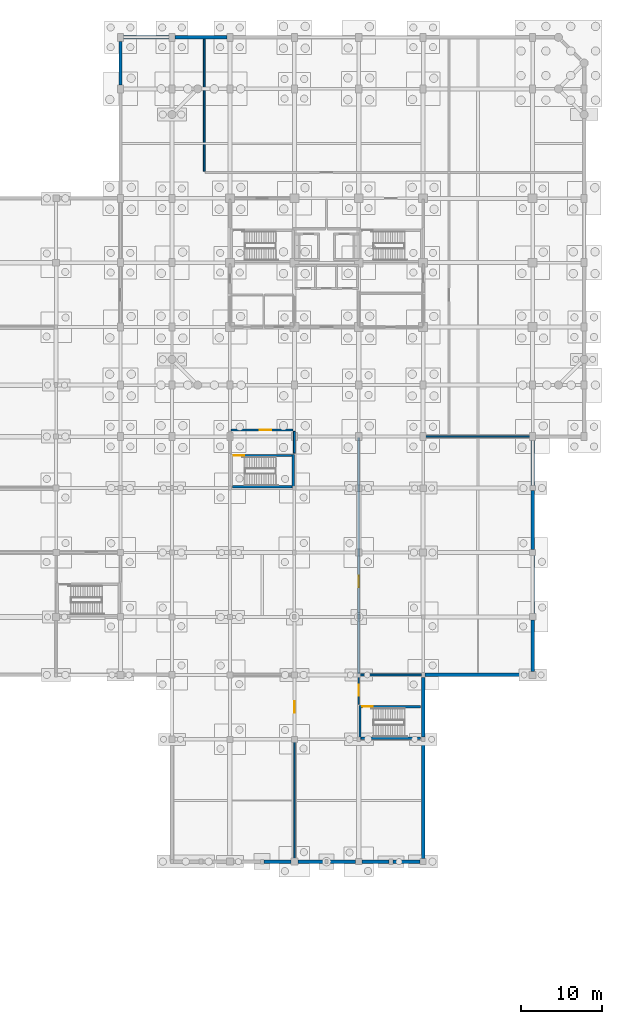
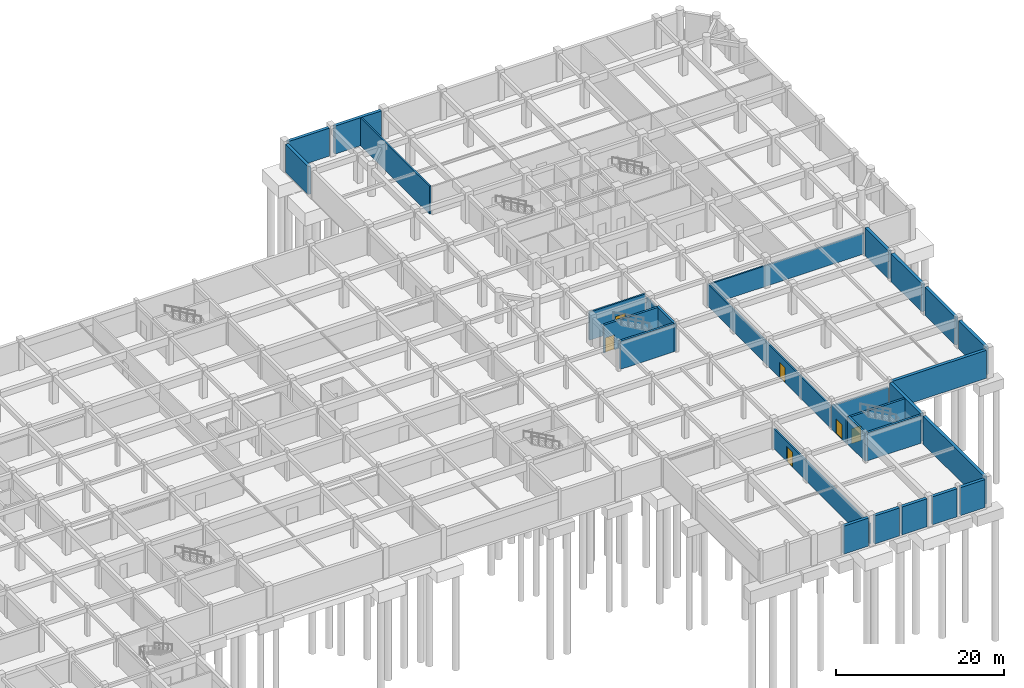
# One storey, part 23 of 28: 29 walls, 6 doors, 6 openings.
"""IFC4 building model written with IfcOpenShell, lengths in metres."""

import ifcopenshell
import ifcopenshell.guid

model = None  # the IFC model being written
_history = None  # IfcOwnerHistory: only IFC2X3 demands one
_inside = {}  # id of a spatial element -> (the spatial element, [elements in it])
_under = {}  # id of a project, library or spatial element -> (it, [spatial elements below it])
_declared = {}  # id of a project -> (the project, [libraries it declares])
_typed = {}  # id of a type object -> (the type object, [elements of that type])
_made_of = {}  # id of a material, layer set ... -> (it, [elements and type objects made of it])


def new_model(schema):
    """Start an empty IFC model of exactly this schema.

    Asked for "IFC4X3", IfcOpenShell would pick the latest addendum, in which some entities
    have other attributes; the version numbers below select the first issue.
    IFC2X3 requires an IfcOwnerHistory on every rooted entity: one is made here for all.
    """
    global model, _history
    if schema == "IFC4X3":
        model = ifcopenshell.file(schema_version=(4, 3, 0, 0))
    else:
        model = ifcopenshell.file(schema=schema)
    _inside.clear()
    _under.clear()
    _declared.clear()
    _typed.clear()
    _made_of.clear()
    _history = None
    if model.schema == "IFC2X3":
        org = make("IfcOrganization", Name="unknown")
        user = make(
            "IfcPersonAndOrganization",
            ThePerson=make("IfcPerson", FamilyName="unknown"),
            TheOrganization=org,
        )
        app = make(
            "IfcApplication",
            ApplicationDeveloper=org,
            Version="unknown",
            ApplicationFullName="unknown",
            ApplicationIdentifier="unknown",
        )
        _history = make(
            "IfcOwnerHistory",
            OwningUser=user,
            OwningApplication=app,
            ChangeAction="ADDED",
            CreationDate=0,
        )
    return model


def make(cls, **values):
    """One entity of the class cls with the attributes given. An attribute that is None is left unset."""
    return model.create_entity(
        cls, **{name: value for name, value in values.items() if value is not None}
    )


def rooted(cls, **values):
    """An entity with a GlobalId (a new one), such as an element, a storey or a relation."""
    return make(cls, GlobalId=ifcopenshell.guid.new(), OwnerHistory=_history, **values)


def si_unit(unit_type, name, prefix=None):
    """IfcSIUnit, for example si_unit("LENGTHUNIT", "METRE", prefix="MILLI")."""
    return make("IfcSIUnit", UnitType=unit_type, Prefix=prefix, Name=name)


def assignment(units):
    """IfcUnitAssignment: the units of a project."""
    return None if units is None else make("IfcUnitAssignment", Units=units)


def point(xyz):
    """IfcCartesianPoint."""
    return None if xyz is None else make("IfcCartesianPoint", Coordinates=xyz)


def direction(xyz):
    """IfcDirection."""
    return None if xyz is None else make("IfcDirection", DirectionRatios=xyz)


def frame(location, z_axis=None, x_axis=None):
    """IfcAxis2Placement3D, a coordinate frame: its origin and axes. An axis left out is left unset."""
    return make(
        "IfcAxis2Placement3D",
        Location=point(location),
        Axis=direction(z_axis),
        RefDirection=direction(x_axis),
    )


def frame_2d(location, x_axis=None):
    """IfcAxis2Placement2D, a coordinate frame in the plane: its origin and x axis."""
    return make(
        "IfcAxis2Placement2D", Location=point(location), RefDirection=direction(x_axis)
    )


def origin():
    """The frame at (0, 0, 0) with its axes left unset."""
    return frame((0.0, 0.0, 0.0))


def place(relative_to, where):
    """IfcLocalPlacement: puts the frame where relative to a parent placement (None: the world)."""
    return make(
        "IfcLocalPlacement", PlacementRelTo=relative_to, RelativePlacement=where
    )


def context(
    kind, dimensions, precision=None, world=None, true_north=None, identifier=None
):
    """IfcGeometricRepresentationContext, for example the 3D "Model" context."""
    return make(
        "IfcGeometricRepresentationContext",
        ContextIdentifier=identifier,
        ContextType=kind,
        CoordinateSpaceDimension=dimensions,
        Precision=precision,
        WorldCoordinateSystem=world,
        TrueNorth=true_north,
    )


def subcontext(parent, identifier, kind, view, scale=None):
    """IfcGeometricRepresentationSubContext, for example "Body" below "Model"."""
    return make(
        "IfcGeometricRepresentationSubContext",
        ContextIdentifier=identifier,
        ContextType=kind,
        ParentContext=parent,
        TargetScale=scale,
        TargetView=view,
    )


def project(units=None, contexts=None):
    """IfcProject with its units and contexts."""
    return rooted(
        "IfcProject",
        Name="project",
        RepresentationContexts=contexts,
        UnitsInContext=assignment(units),
    )


def spatial(cls, under=None, at=None, **own):
    """A site, building, storey or space (cls), placed at a placement, below another one or the project."""
    s = rooted(cls, ObjectPlacement=at, **own)
    if under is not None:
        _under.setdefault(under.id(), (under, []))[1].append(s)
    return s


def profile(cls, at=None, kind="AREA", **sizes):
    """A parametric profile (cls). Its sizes go by their IFC names, for example OverallWidth=200.0."""
    return make(cls, ProfileType=kind, Position=at, **sizes)


def rectangle(**sizes):
    """IfcRectangleProfileDef."""
    return profile("IfcRectangleProfileDef", **sizes)


def extrude(swept, where, along, depth):
    """IfcExtrudedAreaSolid: the profile swept, set in the frame where, extruded along a direction by depth."""
    return make(
        "IfcExtrudedAreaSolid",
        SweptArea=swept,
        Position=where,
        ExtrudedDirection=direction(along),
        Depth=depth,
    )


def shape(context_of_items, identifier, shape_type, items):
    """IfcShapeRepresentation: the items that make up one representation, for example the "Body"."""
    return make(
        "IfcShapeRepresentation",
        ContextOfItems=context_of_items,
        RepresentationIdentifier=identifier,
        RepresentationType=shape_type,
        Items=items,
    )


def material(Name=None, Category=None):
    """IfcMaterial."""
    return make("IfcMaterial", Name=Name, Category=Category)


def layer(
    of_material, thickness, ventilated=None, Name=None, Category=None, Priority=None
):
    """IfcMaterialLayer: one layer of a wall or slab, of a material (None: an air gap)."""
    return make(
        "IfcMaterialLayer",
        Material=of_material,
        LayerThickness=thickness,
        IsVentilated=ventilated,
        Name=Name,
        Category=Category,
        Priority=Priority,
    )


def layer_set(layers, Name=None):
    """IfcMaterialLayerSet."""
    return make("IfcMaterialLayerSet", MaterialLayers=layers, LayerSetName=Name)


def made_of(thing, what):
    """Note that an element or type object is made of a material, layer set ...; save() writes the relation."""
    if what is not None:
        _made_of.setdefault(what.id(), (what, []))[1].append(thing)
    return thing


def type_object(cls, material=None, **own):
    """A type object (cls), such as IfcWallType, which elements share."""
    return made_of(rooted(cls, **own), material)


def element(
    cls,
    number,
    at=None,
    inside=None,
    cuts=None,
    type_object=None,
    material=None,
    context=None,
    identifier="Body",
    shape_type=None,
    held_by="IfcProductDefinitionShape",
    body=None,
    shapes=None,
    **own,
):
    """One element of the class cls, such as IfcWall. Its Tag is "e" and its number.

    at: its placement. inside: the storey or other place that contains it. cuts: it is an
    opening in that element (IfcRelVoidsElement). A single representation is given by context,
    identifier, shape_type and body (its items); several are given by shapes. held_by: the class
    of the entity that holds the representations. save() writes the other relations.
    """
    e = rooted(cls, Tag="e%d" % number, ObjectPlacement=at, **own)
    if body is not None:
        shapes = [shape(context, identifier, shape_type, body)]
    if shapes is not None:
        e.Representation = make(held_by, Representations=shapes)
    if inside is not None:
        _inside.setdefault(inside.id(), (inside, []))[1].append(e)
    if cuts is not None:
        rooted(
            "IfcRelVoidsElement", RelatingBuildingElement=cuts, RelatedOpeningElement=e
        )
    if type_object is not None:
        _typed.setdefault(type_object.id(), (type_object, []))[1].append(e)
    return made_of(e, material)


def fill(opening, filler):
    """IfcRelFillsElement: the door or window that sits in an opening."""
    return rooted(
        "IfcRelFillsElement",
        RelatingOpeningElement=opening,
        RelatedBuildingElement=filler,
    )


def aggregate(whole, parts):
    """IfcRelAggregates: a whole, such as a stair, and the parts it consists of."""
    return rooted("IfcRelAggregates", RelatingObject=whole, RelatedObjects=parts)


def save(model, path):
    """Write the relations noted so far, then the file.

    IfcRelAggregates (storeys below a building ...), IfcRelContainedInSpatialStructure (elements
    in a storey), IfcRelDefinesByType, IfcRelAssociatesMaterial and IfcRelDeclares: one each for
    every whole, place, type object, material and project.
    """
    for whole, parts in _under.values():
        aggregate(whole, parts)
    for where, things in _inside.values():
        rooted(
            "IfcRelContainedInSpatialStructure",
            RelatedElements=things,
            RelatingStructure=where,
        )
    for kind, things in _typed.values():
        rooted("IfcRelDefinesByType", RelatedObjects=things, RelatingType=kind)
    for what, things in _made_of.values():
        rooted("IfcRelAssociatesMaterial", RelatedObjects=things, RelatingMaterial=what)
    for by, libraries in _declared.values():
        rooted("IfcRelDeclares", RelatingContext=by, RelatedDefinitions=libraries)
    model.write(path)


model = new_model("IFC4")

# Units and contexts
model_context = context("Model", 3, precision=1e-05, world=origin(), true_north=direction((0.0, 1.0)))
body_context = subcontext(model_context, "Body", "Model", "MODEL_VIEW")
ifc_project = project(units=[si_unit("LENGTHUNIT", "METRE"), si_unit("AREAUNIT", "SQUARE_METRE"), si_unit("VOLUMEUNIT", "CUBIC_METRE"), si_unit("PLANEANGLEUNIT", "RADIAN"), si_unit("MASSUNIT", "GRAM", prefix="KILO")], contexts=[model_context])

# Site, building, storey
site_placement = place(None, origin())
site = spatial("IfcSite", under=ifc_project, at=site_placement, CompositionType="ELEMENT")
building_placement = place(site_placement, origin())
building = spatial("IfcBuilding", under=site, at=building_placement, Name="Vellmiral Cinema and Media Centre", CompositionType="ELEMENT")
storey_placement = place(building_placement, frame((0.0, 0.0, -4.5)))
storey = spatial("IfcBuildingStorey", under=building, at=storey_placement, Name="B1", CompositionType="ELEMENT", Elevation=-4.5)

# Walls
ifc_material_1 = material(Name="Concrete C30/37", Category="concrete")
ifc_layer_1 = layer(ifc_material_1, 0.419921875, Name="Concrete C30/37")
ifc_layer_set_1 = layer_set([ifc_layer_1], Name="Concrete C30/37")
wall_type_1 = type_object("IfcWallType", Name="WL-B1-RET-420", PredefinedType="SOLIDWALL", material=ifc_layer_set_1)
wall_1_placement = place(storey_placement, frame((128.199951171875, 12.800048828125, 0.0), z_axis=(0.0, 0.0, 1.0), x_axis=(1.0, 0.0, 0.0)))
element("IfcWall", 1, at=wall_1_placement, inside=storey, type_object=wall_type_1, Name="Basement Retaining Wall B1-024", PredefinedType="SOLIDWALL", context=body_context, shape_type="SweptSolid", body=[
    extrude(rectangle(XDim=3.375, YDim=0.419921875, at=frame_2d((1.6875, 0.0))), origin(), (0.0, 0.0, 1.0), 4.080078125),
])
wall_2_placement = place(storey_placement, frame((132.425048828125, 12.800048828125, 0.0), z_axis=(0.0, 0.0, 1.0), x_axis=(1.0, 0.0, 0.0)))
element("IfcWall", 2, at=wall_2_placement, inside=storey, type_object=wall_type_1, Name="Basement Retaining Wall B1-025", PredefinedType="SOLIDWALL", context=body_context, shape_type="SweptSolid", body=[
    extrude(rectangle(XDim=3.39990234375, YDim=0.419921875, at=frame_2d((1.699951171875, 0.0))), origin(), (0.0, 0.0, 1.0), 4.080078125),
])
wall_3_placement = place(storey_placement, frame((136.175048828125, 12.800048828125, 0.0), z_axis=(0.0, 0.0, 1.0), x_axis=(1.0, 0.0, 0.0)))
element("IfcWall", 3, at=wall_3_placement, inside=storey, type_object=wall_type_1, Name="Basement Retaining Wall B1-026", PredefinedType="SOLIDWALL", context=body_context, shape_type="SweptSolid", body=[
    extrude(rectangle(XDim=3.449951171875, YDim=0.419921875, at=frame_2d((1.72509765625, 0.0))), origin(), (0.0, 0.0, 1.0), 4.080078125),
])
for number, where, z_axis, x_axis, name in (
    (4, (140.375, 12.800048828125, 0.0), (0.0, 0.0, 1.0), (1.0, 0.0, 0.0), "Basement Retaining Wall B1-027"),
    (5, (144.25, 12.800048828125, 0.0), (0.0, 0.0, 1.0), (1.0, 0.0, 0.0), "Basement Retaining Wall B1-028"),
):
    element("IfcWall", number, at=place(storey_placement, frame(where, z_axis=z_axis, x_axis=x_axis)), inside=storey, type_object=wall_type_1, Name=name, PredefinedType="SOLIDWALL", context=body_context, shape_type="SweptSolid", body=[
        extrude(rectangle(XDim=3.375, YDim=0.419921875, at=frame_2d((1.6875, 0.0))), origin(), (0.0, 0.0, 1.0), 4.080078125),
    ])
wall_4_placement = place(storey_placement, frame((148.0, 13.175048828125, 0.0), z_axis=(0.0, 0.0, 1.0), x_axis=(0.0, 1.0, 0.0)))
element("IfcWall", 6, at=wall_4_placement, inside=storey, type_object=wall_type_1, Name="Basement Retaining Wall B1-029", PredefinedType="SOLIDWALL", context=body_context, shape_type="SweptSolid", body=[
    extrude(rectangle(XDim=14.52490234375, YDim=0.419921875, at=frame_2d((7.262451171875, 0.0))), origin(), (0.0, 0.0, 1.0), 4.080078125),
])
wall_5_placement = place(storey_placement, frame((148.0, 28.300048828125, 0.0), z_axis=(0.0, 0.0, 1.0), x_axis=(0.0, 1.0, 0.0)))
element("IfcWall", 7, at=wall_5_placement, inside=storey, type_object=wall_type_1, Name="Basement Retaining Wall B1-030", PredefinedType="SOLIDWALL", context=body_context, shape_type="SweptSolid", body=[
    extrude(rectangle(XDim=7.39990234375, YDim=0.419921875, at=frame_2d((3.699951171875, 0.0))), origin(), (0.0, 0.0, 1.0), 4.080078125),
])
wall_6_placement = place(storey_placement, frame((148.199951171875, 36.0, 0.0), z_axis=(0.0, 0.0, 1.0), x_axis=(1.0, 0.0, 0.0)))
element("IfcWall", 8, at=wall_6_placement, inside=storey, type_object=wall_type_1, Name="Basement Retaining Wall B1-031", PredefinedType="SOLIDWALL", context=body_context, shape_type="SweptSolid", body=[
    extrude(rectangle(XDim=12.97509765625, YDim=0.419921875, at=frame_2d((6.487548828125, 0.0))), origin(), (0.0, 0.0, 1.0), 4.080078125),
])
wall_7_placement = place(storey_placement, frame((161.60009765625, 36.425048828125, 0.0), z_axis=(0.0, 0.0, 1.0), x_axis=(0.0, 1.0, 0.0)))
element("IfcWall", 9, at=wall_7_placement, inside=storey, type_object=wall_type_1, Name="Basement Retaining Wall B1-032", PredefinedType="SOLIDWALL", context=body_context, shape_type="SweptSolid", body=[
    extrude(rectangle(XDim=6.375, YDim=0.419921875, at=frame_2d((3.1875, 0.0))), origin(), (0.0, 0.0, 1.0), 4.080078125),
])
wall_8_placement = place(storey_placement, frame((161.60009765625, 43.60009765625, 0.0), z_axis=(0.0, 0.0, 1.0), x_axis=(0.0, 1.0, 0.0)))
element("IfcWall", 10, at=wall_8_placement, inside=storey, type_object=wall_type_1, Name="Basement Retaining Wall B1-033", PredefinedType="SOLIDWALL", context=body_context, shape_type="SweptSolid", body=[
    extrude(rectangle(XDim=7.224853515625, YDim=0.419921875, at=frame_2d((3.6123046875, 0.0))), origin(), (0.0, 0.0, 1.0), 4.080078125),
])
wall_9_placement = place(storey_placement, frame((161.60009765625, 51.574951171875, 0.0), z_axis=(0.0, 0.0, 1.0), x_axis=(0.0, 1.0, 0.0)))
element("IfcWall", 11, at=wall_9_placement, inside=storey, type_object=wall_type_1, Name="Basement Retaining Wall B1-034", PredefinedType="SOLIDWALL", context=body_context, shape_type="SweptSolid", body=[
    extrude(rectangle(XDim=7.300048828125, YDim=0.419921875, at=frame_2d((3.64990234375, 0.0))), origin(), (0.0, 0.0, 1.0), 4.080078125),
])
wall_10_placement = place(storey_placement, frame((161.60009765625, 59.52490234375, 0.0), z_axis=(0.0, 0.0, 1.0), x_axis=(0.0, 1.0, 0.0)))
element("IfcWall", 12, at=wall_10_placement, inside=storey, type_object=wall_type_1, Name="Basement Retaining Wall B1-035", PredefinedType="SOLIDWALL", context=body_context, shape_type="SweptSolid", body=[
    extrude(rectangle(XDim=5.5751953125, YDim=0.419921875, at=frame_2d((2.78759765625, 0.0))), origin(), (0.0, 0.0, 1.0), 4.080078125),
])
wall_11_placement = place(storey_placement, frame((123.625, 115.199951171875, 0.0), z_axis=(0.0, 0.0, 1.0), x_axis=(-1.0, 0.0, 0.0)))
element("IfcWall", 13, at=wall_11_placement, inside=storey, type_object=wall_type_1, Name="Basement Retaining Wall B1-051", PredefinedType="SOLIDWALL", context=body_context, shape_type="SweptSolid", body=[
    extrude(rectangle(XDim=6.449951171875, YDim=0.419921875, at=frame_2d((3.22509765625, 0.0))), origin(), (0.0, 0.0, 1.0), 4.080078125),
])
wall_12_placement = place(storey_placement, frame((116.425048828125, 115.199951171875, 0.0), z_axis=(0.0, 0.0, 1.0), x_axis=(-1.0, 0.0, 0.0)))
element("IfcWall", 14, at=wall_12_placement, inside=storey, type_object=wall_type_1, Name="Basement Retaining Wall B1-052", PredefinedType="SOLIDWALL", context=body_context, shape_type="SweptSolid", body=[
    extrude(rectangle(XDim=5.650146484375, YDim=0.419921875, at=frame_2d((2.8251953125, 0.0))), origin(), (0.0, 0.0, 1.0), 4.080078125),
])
wall_13_placement = place(storey_placement, frame((110.39990234375, 114.699951171875, 0.0), z_axis=(0.0, 0.0, 1.0), x_axis=(0.0, -1.0, 0.0)))
element("IfcWall", 15, at=wall_13_placement, inside=storey, type_object=wall_type_1, Name="Basement Retaining Wall B1-053", PredefinedType="SOLIDWALL", context=body_context, shape_type="SweptSolid", body=[
    extrude(rectangle(XDim=5.39990234375, YDim=0.419921875, at=frame_2d((2.699951171875, 0.0))), origin(), (0.0, 0.0, 1.0), 4.080078125),
])

# Wall, opening, door
ifc_material_2 = material(Name="Concrete C40/50", Category="concrete")
ifc_layer_2 = layer(ifc_material_2, 0.2099609375, Name="Concrete C40/50")
ifc_layer_set_2 = layer_set([ifc_layer_2], Name="Concrete C40/50")
wall_type_2 = type_object("IfcWallType", Name="WL-COMP-210", PredefinedType="SOLIDWALL", material=ifc_layer_set_2)
wall_14_placement = place(storey_placement, frame((132.0, 12.905029296875, 0.0), z_axis=(0.0, 0.0, 1.0), x_axis=(0.0, 1.0, 0.0)))
wall_14 = element("IfcWall", 16, at=wall_14_placement, inside=storey, type_object=wall_type_2, Name="Primary Chiller and Acoustic AHU Plant Room Wall E", PredefinedType="SOLIDWALL", context=body_context, shape_type="SweptSolid", body=[
    extrude(rectangle(XDim=22.955078125, YDim=0.2099609375, at=frame_2d((11.4775390625, 0.0))), origin(), (0.0, 0.0, 1.0), 2.925048828125),
])
opening_1_placement = place(wall_14_placement, frame((18.39501953125, 0.0, 0.0)))
opening_1 = element("IfcOpeningElement", 17, at=opening_1_placement, cuts=wall_14, Name="Opening D-FD60B", PredefinedType="OPENING", context=body_context, shape_type="SweptSolid", body=[
    extrude(rectangle(XDim=1.39990234375, YDim=2.199951171875, at=frame_2d((0.699951171875, 1.10009765625))), frame((0.0, 0.116943359375, 0.0), z_axis=(0.0, -1.0, 0.0), x_axis=(1.0, 0.0, 0.0)), (0.0, 0.0, 1.0), 0.23388671875),
])
ifc_material_3 = material(Name="Steel Fire Door", Category="steel")
door_type_1 = type_object("IfcDoorType", Name="DR-FD60-1400x2200", OperationType="NOTDEFINED", PredefinedType="DOOR", material=ifc_material_3)
door_1_placement = place(opening_1_placement, origin())
door_1 = element("IfcDoor", 18, at=door_1_placement, inside=storey, type_object=door_type_1, Name="Primary Chiller and Acoustic AHU Plant Room Door", OperationType="SINGLE_SWING_RIGHT", OverallHeight=2.199951171875, OverallWidth=1.39990234375, PredefinedType="DOOR", context=body_context, shape_type="SweptSolid", body=[
    extrude(rectangle(XDim=1.39990234375, YDim=2.199951171875, at=frame_2d((0.699951171875, 1.10009765625))), frame((0.0, 0.02490234375, 0.0), z_axis=(0.0, -1.0, 0.0), x_axis=(1.0, 0.0, 0.0)), (0.0, 0.0, 1.0), 0.050048828125),
])
fill(opening_1, door_1)

# Wall
wall_15_placement = place(storey_placement, frame((140.139892578125, 65.60009765625, 0.0), z_axis=(0.0, 0.0, 1.0), x_axis=(1.0, 0.0, 0.0)))
element("IfcWall", 19, at=wall_15_placement, inside=storey, type_object=wall_type_2, Name="Medium-Voltage Transformer and UPS Plant Room Wall N", PredefinedType="SOLIDWALL", context=body_context, shape_type="SweptSolid", body=[
    extrude(rectangle(XDim=21.355224609375, YDim=0.2099609375, at=frame_2d((10.677734375, 0.0))), origin(), (0.0, 0.0, 1.0), 3.02490234375),
])

# Wall, opening, door
wall_16_placement = place(storey_placement, frame((140.0, 36.139892578125, 0.0), z_axis=(0.0, 0.0, 1.0), x_axis=(0.0, 1.0, 0.0)))
wall_16 = element("IfcWall", 20, at=wall_16_placement, inside=storey, type_object=wall_type_2, Name="Medium-Voltage Transformer and UPS Plant Room Wall W", PredefinedType="SOLIDWALL", context=body_context, shape_type="SweptSolid", body=[
    extrude(rectangle(XDim=29.320068359375, YDim=0.2099609375, at=frame_2d((14.66015625, 0.0))), origin(), (0.0, 0.0, 1.0), 3.22509765625),
])
opening_2_placement = place(wall_16_placement, frame((10.760009765625, 0.0, 0.0)))
opening_2 = element("IfcOpeningElement", 21, at=opening_2_placement, cuts=wall_16, Name="Opening D-FD60B", PredefinedType="OPENING", context=body_context, shape_type="SweptSolid", body=[
    extrude(rectangle(XDim=1.39990234375, YDim=2.199951171875, at=frame_2d((0.699951171875, 1.10009765625))), frame((0.0, 0.116943359375, 0.0), z_axis=(0.0, -1.0, 0.0), x_axis=(1.0, 0.0, 0.0)), (0.0, 0.0, 1.0), 0.23388671875),
])
door_2_placement = place(opening_2_placement, frame((1.39990234375, 0.0, 0.0), z_axis=(0.0, 0.0, 1.0), x_axis=(-1.0, 0.0, 0.0)))
door_2 = element("IfcDoor", 22, at=door_2_placement, inside=storey, type_object=door_type_1, Name="Medium-Voltage Transformer and UPS Plant Room Door", OperationType="SINGLE_SWING_RIGHT", OverallHeight=2.199951171875, OverallWidth=1.39990234375, PredefinedType="DOOR", context=body_context, shape_type="SweptSolid", body=[
    extrude(rectangle(XDim=1.39990234375, YDim=2.199951171875, at=frame_2d((0.699951171875, 1.10009765625))), frame((0.0, 0.02490234375, 0.0), z_axis=(0.0, -1.0, 0.0), x_axis=(1.0, 0.0, 0.0)), (0.0, 0.0, 1.0), 0.050048828125),
])
fill(opening_2, door_2)

# Walls
wall_17_placement = place(storey_placement, frame((120.800048828125, 98.5400390625, 0.0), z_axis=(0.0, 0.0, 1.0), x_axis=(0.0, 1.0, 0.0)))
element("IfcWall", 23, at=wall_17_placement, inside=storey, type_object=wall_type_2, Name="Tower Basement Technical Store Wall W", PredefinedType="SOLIDWALL", context=body_context, shape_type="SweptSolid", body=[
    extrude(rectangle(XDim=16.43505859375, YDim=0.2099609375, at=frame_2d((8.217529296875, 0.0))), origin(), (0.0, 0.0, 1.0), 4.080078125),
])
ifc_material_4 = material(Name="Concrete C40/50", Category="concrete")
ifc_layer_3 = layer(ifc_material_4, 0.300048828125, Name="Concrete C40/50")
ifc_layer_set_3 = layer_set([ifc_layer_3], Name="Concrete C40/50")
wall_type_3 = type_object("IfcWallType", Name="WL-CORE-300", PredefinedType="SHEAR", material=ifc_layer_set_3)
wall_18_placement = place(storey_placement, frame((131.85009765625, 59.199951171875, 0.0), z_axis=(0.0, 0.0, 1.0), x_axis=(0.0, 1.0, 0.0)))
element("IfcWall", 24, at=wall_18_placement, inside=storey, type_object=wall_type_3, Name="Stair Core Wall ST-P6 B1-E", PredefinedType="SHEAR", context=body_context, shape_type="SweptSolid", body=[
    extrude(rectangle(XDim=4.199951171875, YDim=0.300048828125, at=frame_2d((2.10009765625, 0.0))), origin(), (0.0, 0.0, 1.0), 4.080078125),
])
wall_19_placement = place(storey_placement, frame((124.300048828125, 59.35009765625, 0.0), z_axis=(0.0, 0.0, 1.0), x_axis=(1.0, 0.0, 0.0)))
element("IfcWall", 25, at=wall_19_placement, inside=storey, type_object=wall_type_3, Name="Stair Core Wall ST-P6 B1-S", PredefinedType="SHEAR", context=body_context, shape_type="SweptSolid", body=[
    extrude(rectangle(XDim=7.39990234375, YDim=0.300048828125, at=frame_2d((3.699951171875, 0.0))), origin(), (0.0, 0.0, 1.0), 4.080078125),
])

# Wall, opening, door
wall_20_placement = place(storey_placement, frame((124.300048828125, 63.25, 0.0), z_axis=(0.0, 0.0, 1.0), x_axis=(1.0, 0.0, 0.0)))
wall_20 = element("IfcWall", 26, at=wall_20_placement, inside=storey, type_object=wall_type_3, Name="Stair Core Wall ST-P6 B1-N", PredefinedType="SHEAR", context=body_context, shape_type="SweptSolid", body=[
    extrude(rectangle(XDim=7.39990234375, YDim=0.300048828125, at=frame_2d((3.699951171875, 0.0))), origin(), (0.0, 0.0, 1.0), 4.080078125),
])
opening_3_placement = place(wall_20_placement, frame((0.159912109375, 0.0, 0.0)))
opening_3 = element("IfcOpeningElement", 27, at=opening_3_placement, cuts=wall_20, Name="Opening D-FD30A", PredefinedType="OPENING", context=body_context, shape_type="SweptSolid", body=[
    extrude(rectangle(XDim=1.300048828125, YDim=2.179931640625, at=frame_2d((0.64990234375, 1.08984375))), frame((0.0, 0.162109375, 0.0), z_axis=(0.0, -1.0, 0.0), x_axis=(1.0, 0.0, 0.0)), (0.0, 0.0, 1.0), 0.323974609375),
])
ifc_material_5 = material(Name="Steel Stair Fire Door", Category="steel")
door_type_2 = type_object("IfcDoorType", Name="DR-FD30-1300x2180", OperationType="NOTDEFINED", PredefinedType="DOOR", material=ifc_material_5)
door_3_placement = place(opening_3_placement, frame((1.300048828125, 0.0, 0.0), z_axis=(0.0, 0.0, 1.0), x_axis=(-1.0, 0.0, 0.0)))
door_3 = element("IfcDoor", 28, at=door_3_placement, inside=storey, type_object=door_type_2, Name="Protected Stair Door ST-P6 B1", OperationType="SINGLE_SWING_RIGHT", OverallHeight=2.179931640625, OverallWidth=1.300048828125, PredefinedType="DOOR", context=body_context, shape_type="SweptSolid", body=[
    extrude(rectangle(XDim=1.300048828125, YDim=2.179931640625, at=frame_2d((0.64990234375, 1.08984375))), frame((0.0, 0.02490234375, 0.0), z_axis=(0.0, -1.0, 0.0), x_axis=(1.0, 0.0, 0.0)), (0.0, 0.0, 1.0), 0.050048828125),
])
fill(opening_3, door_3)

# Walls
wall_21_placement = place(storey_placement, frame((140.14990234375, 28.0, 0.0), z_axis=(0.0, 0.0, 1.0), x_axis=(0.0, 1.0, 0.0)))
element("IfcWall", 29, at=wall_21_placement, inside=storey, type_object=wall_type_3, Name="Stair Core Wall ST-P8 B1-W", PredefinedType="SHEAR", context=body_context, shape_type="SweptSolid", body=[
    extrude(rectangle(XDim=4.199951171875, YDim=0.300048828125, at=frame_2d((2.10009765625, 0.0))), origin(), (0.0, 0.0, 1.0), 4.080078125),
])
wall_22_placement = place(storey_placement, frame((140.300048828125, 28.14990234375, 0.0), z_axis=(0.0, 0.0, 1.0), x_axis=(1.0, 0.0, 0.0)))
element("IfcWall", 30, at=wall_22_placement, inside=storey, type_object=wall_type_3, Name="Stair Core Wall ST-P8 B1-S", PredefinedType="SHEAR", context=body_context, shape_type="SweptSolid", body=[
    extrude(rectangle(XDim=7.39990234375, YDim=0.300048828125, at=frame_2d((3.699951171875, 0.0))), origin(), (0.0, 0.0, 1.0), 4.080078125),
])

# Wall, opening, door
wall_23_placement = place(storey_placement, frame((140.300048828125, 32.050048828125, 0.0), z_axis=(0.0, 0.0, 1.0), x_axis=(1.0, 0.0, 0.0)))
wall_23 = element("IfcWall", 31, at=wall_23_placement, inside=storey, type_object=wall_type_3, Name="Stair Core Wall ST-P8 B1-N", PredefinedType="SHEAR", context=body_context, shape_type="SweptSolid", body=[
    extrude(rectangle(XDim=7.39990234375, YDim=0.300048828125, at=frame_2d((3.699951171875, 0.0))), origin(), (0.0, 0.0, 1.0), 4.080078125),
])
opening_4_placement = place(wall_23_placement, frame((0.159912109375, 0.0, 0.0)))
opening_4 = element("IfcOpeningElement", 32, at=opening_4_placement, cuts=wall_23, Name="Opening D-FD30A", PredefinedType="OPENING", context=body_context, shape_type="SweptSolid", body=[
    extrude(rectangle(XDim=1.300048828125, YDim=2.179931640625, at=frame_2d((0.64990234375, 1.08984375))), frame((0.0, 0.162109375, 0.0), z_axis=(0.0, -1.0, 0.0), x_axis=(1.0, 0.0, 0.0)), (0.0, 0.0, 1.0), 0.323974609375),
])
door_4_placement = place(opening_4_placement, frame((1.300048828125, 0.0, 0.0), z_axis=(0.0, 0.0, 1.0), x_axis=(-1.0, 0.0, 0.0)))
door_4 = element("IfcDoor", 33, at=door_4_placement, inside=storey, type_object=door_type_2, Name="Protected Stair Door ST-P8 B1", OperationType="SINGLE_SWING_RIGHT", OverallHeight=2.179931640625, OverallWidth=1.300048828125, PredefinedType="DOOR", context=body_context, shape_type="SweptSolid", body=[
    extrude(rectangle(XDim=1.300048828125, YDim=2.179931640625, at=frame_2d((0.64990234375, 1.08984375))), frame((0.0, 0.02490234375, 0.0), z_axis=(0.0, -1.0, 0.0), x_axis=(1.0, 0.0, 0.0)), (0.0, 0.0, 1.0), 0.050048828125),
])
fill(opening_4, door_4)

ifc_material_6 = material(Name="Concrete C40/50", Category="concrete")
ifc_layer_4 = layer(ifc_material_6, 0.22998046875, Name="Concrete C40/50")
ifc_layer_set_4 = layer_set([ifc_layer_4], Name="Concrete C40/50")
wall_type_4 = type_object("IfcWallType", Name="WL-FFL-230", PredefinedType="SOLIDWALL", material=ifc_layer_set_4)
wall_24_placement = place(storey_placement, frame((124.139892578125, 66.39990234375, 0.0), z_axis=(0.0, 0.0, 1.0), x_axis=(1.0, 0.0, 0.0)))
wall_24 = element("IfcWall", 34, at=wall_24_placement, inside=storey, type_object=wall_type_4, Name="Firefighting Stair Lobby ST-P6 Wall N", PredefinedType="SOLIDWALL", context=body_context, shape_type="SweptSolid", body=[
    extrude(rectangle(XDim=7.72021484375, YDim=0.22998046875, at=frame_2d((3.860107421875, 0.0))), origin(), (0.0, 0.0, 1.0), 4.080078125),
])
opening_5_placement = place(wall_24_placement, frame((3.56005859375, 0.0, 0.0)))
opening_5 = element("IfcOpeningElement", 35, at=opening_5_placement, cuts=wall_24, Name="Opening D-FD60B", PredefinedType="OPENING", context=body_context, shape_type="SweptSolid", body=[
    extrude(rectangle(XDim=1.39990234375, YDim=2.199951171875, at=frame_2d((0.699951171875, 1.10009765625))), frame((0.0, 0.126953125, 0.0), z_axis=(0.0, -1.0, 0.0), x_axis=(1.0, 0.0, 0.0)), (0.0, 0.0, 1.0), 0.25390625),
])
door_5_placement = place(opening_5_placement, frame((1.39990234375, 0.0, 0.0), z_axis=(0.0, 0.0, 1.0), x_axis=(-1.0, 0.0, 0.0)))
door_5 = element("IfcDoor", 36, at=door_5_placement, inside=storey, type_object=door_type_1, Name="Firefighting Stair Lobby ST-P6 Door", OperationType="SINGLE_SWING_LEFT", OverallHeight=2.199951171875, OverallWidth=1.39990234375, PredefinedType="DOOR", context=body_context, shape_type="SweptSolid", body=[
    extrude(rectangle(XDim=1.39990234375, YDim=2.199951171875, at=frame_2d((0.699951171875, 1.10009765625))), frame((0.0, 0.02490234375, 0.0), z_axis=(0.0, -1.0, 0.0), x_axis=(1.0, 0.0, 0.0)), (0.0, 0.0, 1.0), 0.050048828125),
])
fill(opening_5, door_5)

# Walls
wall_25_placement = place(storey_placement, frame((132.0, 63.5400390625, 0.0), z_axis=(0.0, 0.0, 1.0), x_axis=(0.0, 1.0, 0.0)))
element("IfcWall", 37, at=wall_25_placement, inside=storey, type_object=wall_type_4, Name="Firefighting Stair Lobby ST-P6 Wall E", PredefinedType="SOLIDWALL", context=body_context, shape_type="SweptSolid", body=[
    extrude(rectangle(XDim=2.719970703125, YDim=0.22998046875, at=frame_2d((1.35986328125, 0.0))), origin(), (0.0, 0.0, 1.0), 3.574951171875),
])
wall_26_placement = place(storey_placement, frame((140.139892578125, 36.0, 0.0), z_axis=(0.0, 0.0, 1.0), x_axis=(1.0, 0.0, 0.0)))
element("IfcWall", 38, at=wall_26_placement, inside=storey, type_object=wall_type_4, Name="Firefighting Stair Lobby ST-P8 Wall N", PredefinedType="SOLIDWALL", context=body_context, shape_type="SweptSolid", body=[
    extrude(rectangle(XDim=7.635009765625, YDim=0.22998046875, at=frame_2d((3.8173828125, 0.0))), origin(), (0.0, 0.0, 1.0), 3.324951171875),
])

# Wall, opening, door
wall_27_placement = place(storey_placement, frame((140.0, 32.340087890625, 0.0), z_axis=(0.0, 0.0, 1.0), x_axis=(0.0, 1.0, 0.0)))
wall_27 = element("IfcWall", 39, at=wall_27_placement, inside=storey, type_object=wall_type_4, Name="Firefighting Stair Lobby ST-P8 Wall W", PredefinedType="SOLIDWALL", context=body_context, shape_type="SweptSolid", body=[
    extrude(rectangle(XDim=3.52001953125, YDim=0.22998046875, at=frame_2d((1.760009765625, 0.0))), origin(), (0.0, 0.0, 1.0), 3.574951171875),
])
opening_6_placement = place(wall_27_placement, frame((1.06005859375, 0.0, 0.0)))
opening_6 = element("IfcOpeningElement", 40, at=opening_6_placement, cuts=wall_27, Name="Opening D-FD60B", PredefinedType="OPENING", context=body_context, shape_type="SweptSolid", body=[
    extrude(rectangle(XDim=1.39990234375, YDim=2.199951171875, at=frame_2d((0.699951171875, 1.10009765625))), frame((0.0, 0.126953125, 0.0), z_axis=(0.0, -1.0, 0.0), x_axis=(1.0, 0.0, 0.0)), (0.0, 0.0, 1.0), 0.25390625),
])
door_6_placement = place(opening_6_placement, frame((1.39990234375, 0.0, 0.0), z_axis=(0.0, 0.0, 1.0), x_axis=(-1.0, 0.0, 0.0)))
door_6 = element("IfcDoor", 41, at=door_6_placement, inside=storey, type_object=door_type_1, Name="Firefighting Stair Lobby ST-P8 Door", OperationType="SINGLE_SWING_RIGHT", OverallHeight=2.199951171875, OverallWidth=1.39990234375, PredefinedType="DOOR", context=body_context, shape_type="SweptSolid", body=[
    extrude(rectangle(XDim=1.39990234375, YDim=2.199951171875, at=frame_2d((0.699951171875, 1.10009765625))), frame((0.0, 0.02490234375, 0.0), z_axis=(0.0, -1.0, 0.0), x_axis=(1.0, 0.0, 0.0)), (0.0, 0.0, 1.0), 0.050048828125),
])
fill(opening_6, door_6)

save(model, "model.ifc")
